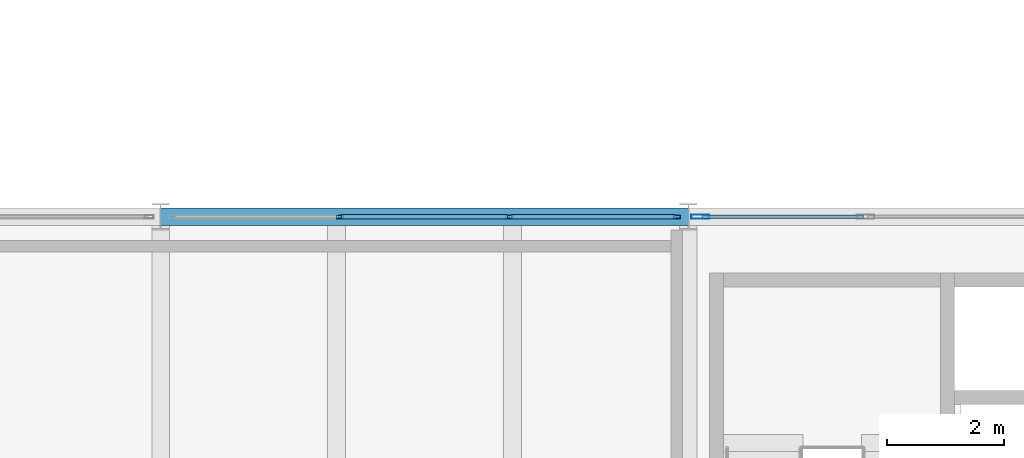
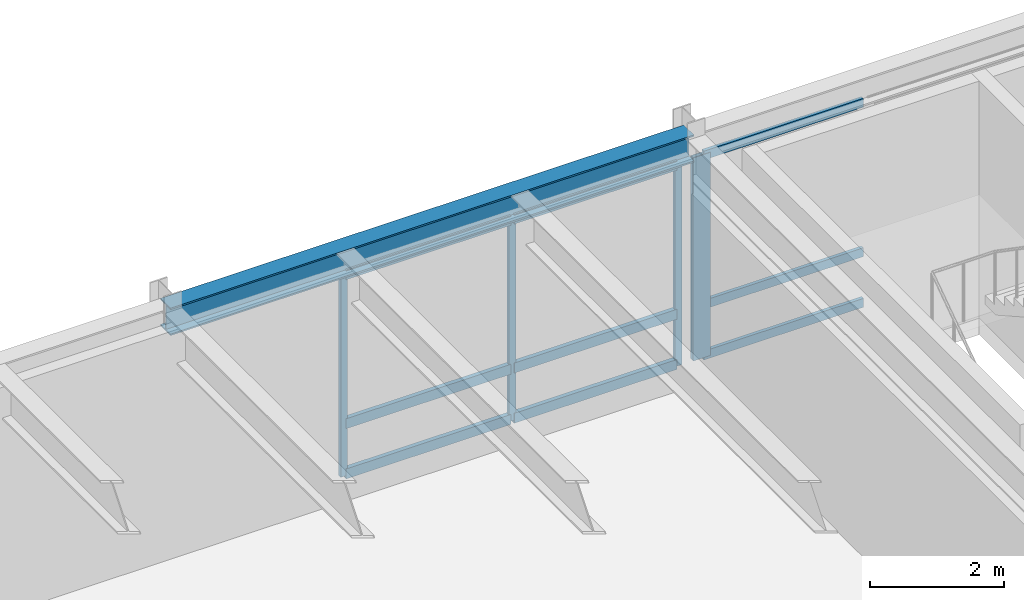
# One storey, part 86 of 142: 13 members, 1 beam, 2 elements without a shape of their own.
"""IFC4 building model written with IfcOpenShell, lengths in metres."""

from ifc_helpers import new_model, si_unit, direction, frame, origin, origin_2d, place, context, subcontext, project, spatial, hollow_rectangle, i_section, extrude, material, layer, layer_set, material_profile, profile_set, type_object, element, aggregate, save


model = new_model("IFC4")

# Units and contexts
model_context = context("Model", 3, precision=1e-05, world=origin(), true_north=direction((0.0, 1.0)))
body_context = subcontext(model_context, "Body", "Model", "MODEL_VIEW")
ifc_project = project(units=[si_unit("LENGTHUNIT", "METRE"), si_unit("AREAUNIT", "SQUARE_METRE"), si_unit("VOLUMEUNIT", "CUBIC_METRE"), si_unit("PLANEANGLEUNIT", "RADIAN"), si_unit("MASSUNIT", "GRAM", prefix="KILO")], contexts=[model_context])

# Site, building, storey
site_placement = place(None, origin())
site = spatial("IfcSite", under=ifc_project, at=site_placement, CompositionType="ELEMENT")
building_placement = place(site_placement, origin())
building = spatial("IfcBuilding", under=site, at=building_placement, Name="Montelvaro Courts of Justice", CompositionType="ELEMENT")
storey_placement = place(building_placement, frame((0.0, 0.0, 14.39990234375)))
storey = spatial("IfcBuildingStorey", under=building, at=storey_placement, Name="L03", CompositionType="ELEMENT", Elevation=14.39990234375)

# Beam
ifc_material_1 = material(Name="Steel S355", Category="steel")
ifc_material_profile_1 = material_profile(ifc_material_1, i_section(OverallWidth=0.300048828125, OverallDepth=0.5, WebThickness=0.014404296875, FlangeThickness=0.028076171875, at=origin_2d()), Name="HEB 500")
ifc_profile_set_1 = profile_set([ifc_material_profile_1], Name="Steel S355")
beam_type = type_object("IfcBeamType", Name="Beam_HEB500", PredefinedType="USERDEFINED", material=ifc_profile_set_1)
beam_placement = place(storey_placement, frame((108.0, 96.0, 3.9501953125), z_axis=(1.0, 0.0, 0.0), x_axis=(0.0, 1.0, 0.0)))
element("IfcBeam", 1, at=beam_placement, inside=storey, type_object=beam_type, Name="Beam B-25 L03", ObjectType="GIRDER", PredefinedType="USERDEFINED", context=body_context, shape_type="SweptSolid", body=[
    extrude(i_section(OverallWidth=0.300048828125, OverallDepth=0.5, WebThickness=0.014404296875, FlangeThickness=0.028076171875, at=origin_2d()), origin(), (0.0, 0.0, 1.0), 9.0),
])

# Curtain wall, members
ifc_material_2 = material(Name="Anodised aluminium EN AW-6063", Category="aluminium")
ifc_layer_1 = layer(ifc_material_2, 0.159912109375)
ifc_layer_set_1 = layer_set([ifc_layer_1], Name="Anodised aluminium EN AW-6063")
curtain_wall_type_1 = type_object("IfcCurtainWallType", Name="CurtainWall_14_867x418", PredefinedType="USERDEFINED", material=ifc_layer_set_1)
curtain_wall_1_placement = place(storey_placement, origin())
curtain_wall_1 = element("IfcCurtainWall", 2, at=curtain_wall_1_placement, inside=storey, type_object=curtain_wall_type_1, Name="Curtain Wall CW-14 (L03)", ObjectType="CURTAIN WALL", PredefinedType="USERDEFINED")
ifc_material_profile_2 = material_profile(ifc_material_2, hollow_rectangle(XDim=0.06005859375, YDim=0.1201171875, WallThickness=0.00341796875, at=origin_2d()), Name="ALU-M 60x120")
ifc_profile_set_2 = profile_set([ifc_material_profile_2], Name="Anodised aluminium EN AW-6063")
member_type_1 = type_object("IfcMemberType", Name="CurtainWall_Mullion_60x120", PredefinedType="MULLION", material=ifc_profile_set_2)
member_1_placement = place(storey_placement, frame((116.804931640625, 96.0, 0.0), z_axis=(0.0, 0.0, 1.0), x_axis=(0.0, -1.0, 0.0)))
member_1 = element("IfcMember", 3, at=member_1_placement, type_object=member_type_1, Name="CW-14 mullion 1", PredefinedType="MULLION", context=body_context, shape_type="SweptSolid", body=[
    extrude(hollow_rectangle(XDim=0.06005859375, YDim=0.1201171875, WallThickness=0.00341796875, at=origin_2d()), origin(), (0.0, 0.0, 1.0), 3.695068359375),
])
member_2_placement = place(storey_placement, frame((113.945068359375, 96.0, 0.0), z_axis=(0.0, 0.0, 1.0), x_axis=(0.0, -1.0, 0.0)))
member_2 = element("IfcMember", 4, at=member_2_placement, type_object=member_type_1, Name="CW-14 mullion 2", PredefinedType="MULLION", context=body_context, shape_type="SweptSolid", body=[
    extrude(hollow_rectangle(XDim=0.06005859375, YDim=0.1201171875, WallThickness=0.00341796875, at=origin_2d()), origin(), (0.0, 0.0, 1.0), 3.695068359375),
])
member_3_placement = place(storey_placement, frame((111.054931640625, 96.0, 0.0), z_axis=(0.0, 0.0, 1.0), x_axis=(0.0, -1.0, 0.0)))
member_3 = element("IfcMember", 5, at=member_3_placement, type_object=member_type_1, Name="CW-14 mullion 3", PredefinedType="MULLION", context=body_context, shape_type="SweptSolid", body=[
    extrude(hollow_rectangle(XDim=0.06005859375, YDim=0.1201171875, WallThickness=0.00341796875, at=origin_2d()), origin(), (0.0, 0.0, 1.0), 3.695068359375),
])

ifc_layer_2 = layer(ifc_material_2, 0.159912109375)
ifc_layer_set_2 = layer_set([ifc_layer_2], Name="Anodised aluminium EN AW-6063")
curtain_wall_type_2 = type_object("IfcCurtainWallType", Name="CurtainWall_13_857x418", PredefinedType="USERDEFINED", material=ifc_layer_set_2)
curtain_wall_2_placement = place(storey_placement, origin())
curtain_wall_2 = element("IfcCurtainWall", 6, at=curtain_wall_2_placement, inside=storey, type_object=curtain_wall_type_2, Name="Curtain Wall CW-13 (L03)", ObjectType="CURTAIN WALL", PredefinedType="USERDEFINED")
ifc_material_profile_3 = material_profile(ifc_material_2, hollow_rectangle(XDim=0.074951171875, YDim=0.300048828125, WallThickness=0.006103515625, at=origin_2d()), Name="ALU-M 75x300")
ifc_profile_set_3 = profile_set([ifc_material_profile_3], Name="Anodised aluminium EN AW-6063")
member_type_2 = type_object("IfcMemberType", Name="CurtainWall_Mullion_75x300", PredefinedType="MULLION", material=ifc_profile_set_3)
member_4_placement = place(storey_placement, frame((117.202392578125, 96.0, 0.0), z_axis=(0.0, 0.0, 1.0), x_axis=(0.0, -1.0, 0.0)))
member_4 = element("IfcMember", 7, at=member_4_placement, type_object=member_type_2, Name="CW-13 mullion 4", PredefinedType="MULLION", context=body_context, shape_type="SweptSolid", body=[
    extrude(hollow_rectangle(XDim=0.074951171875, YDim=0.300048828125, WallThickness=0.006103515625, at=origin_2d()), origin(), (0.0, 0.0, 1.0), 3.695068359375),
])
ifc_material_profile_4 = material_profile(ifc_material_2, hollow_rectangle(XDim=0.06005859375, YDim=0.159912109375, WallThickness=0.00439453125, at=origin_2d()), Name="ALU-T 60x160")
ifc_profile_set_4 = profile_set([ifc_material_profile_4], Name="Anodised aluminium EN AW-6063")
member_type_3 = type_object("IfcMemberType", Name="CurtainWall_Transom_60x160", PredefinedType="USERDEFINED", material=ifc_profile_set_4)
member_5_placement = place(storey_placement, frame((119.984130859375, 96.0, 0.030029296875), z_axis=(-1.0, 0.0, 0.0), x_axis=(0.0, -1.0, 0.0)))
member_5 = element("IfcMember", 8, at=member_5_placement, type_object=member_type_3, Name="CW-13 transom 3.1", ObjectType="TRANSOM", PredefinedType="USERDEFINED", context=body_context, shape_type="SweptSolid", body=[
    extrude(hollow_rectangle(XDim=0.06005859375, YDim=0.159912109375, WallThickness=0.00439453125, at=origin_2d()), origin(), (0.0, 0.0, 1.0), 2.744140625),
])
member_6_placement = place(storey_placement, frame((119.984130859375, 96.0, 0.9501953125), z_axis=(-1.0, 0.0, 0.0), x_axis=(0.0, -1.0, 0.0)))
member_6 = element("IfcMember", 9, at=member_6_placement, type_object=member_type_3, Name="CW-13 transom 3.2", ObjectType="TRANSOM", PredefinedType="USERDEFINED", context=body_context, shape_type="SweptSolid", body=[
    extrude(hollow_rectangle(XDim=0.06005859375, YDim=0.159912109375, WallThickness=0.00439453125, at=origin_2d()), origin(), (0.0, 0.0, 1.0), 2.744140625),
])
member_7_placement = place(storey_placement, frame((119.984130859375, 96.0, 3.6650390625), z_axis=(-1.0, 0.0, 0.0), x_axis=(0.0, -1.0, 0.0)))
member_7 = element("IfcMember", 10, at=member_7_placement, type_object=member_type_3, Name="CW-13 transom 3.3", ObjectType="TRANSOM", PredefinedType="USERDEFINED", context=body_context, shape_type="SweptSolid", body=[
    extrude(hollow_rectangle(XDim=0.06005859375, YDim=0.159912109375, WallThickness=0.00439453125, at=origin_2d()), origin(), (0.0, 0.0, 1.0), 2.744140625),
])
aggregate(curtain_wall_2, [member_4, member_5, member_6, member_7])

# Member
ifc_material_profile_5 = material_profile(ifc_material_2, hollow_rectangle(XDim=0.074951171875, YDim=0.179931640625, WallThickness=0.0048828125, at=origin_2d()), Name="ALU-T 75x180")
ifc_profile_set_5 = profile_set([ifc_material_profile_5], Name="Anodised aluminium EN AW-6063")
member_type_4 = type_object("IfcMemberType", Name="CurtainWall_Transom_75x180", PredefinedType="USERDEFINED", material=ifc_profile_set_5)
member_8_placement = place(storey_placement, frame((116.77490234375, 96.0, 0.03759765625), z_axis=(-1.0, 0.0, 0.0), x_axis=(0.0, -1.0, 0.0)))
member_8 = element("IfcMember", 11, at=member_8_placement, type_object=member_type_4, Name="CW-14 transom 1.1", ObjectType="TRANSOM", PredefinedType="USERDEFINED", context=body_context, shape_type="SweptSolid", body=[
    extrude(hollow_rectangle(XDim=0.074951171875, YDim=0.179931640625, WallThickness=0.0048828125, at=origin_2d()), origin(), (0.0, 0.0, 1.0), 2.7998046875),
])

member_9_placement = place(storey_placement, frame((116.77490234375, 96.0, 0.9501953125), z_axis=(-1.0, 0.0, 0.0), x_axis=(0.0, -1.0, 0.0)))
member_9 = element("IfcMember", 12, at=member_9_placement, type_object=member_type_4, Name="CW-14 transom 1.2", ObjectType="TRANSOM", PredefinedType="USERDEFINED", context=body_context, shape_type="SweptSolid", body=[
    extrude(hollow_rectangle(XDim=0.074951171875, YDim=0.179931640625, WallThickness=0.0048828125, at=origin_2d()), origin(), (0.0, 0.0, 1.0), 2.7998046875),
])

member_10_placement = place(storey_placement, frame((116.77490234375, 96.0, 3.65771484375), z_axis=(-1.0, 0.0, 0.0), x_axis=(0.0, -1.0, 0.0)))
member_10 = element("IfcMember", 13, at=member_10_placement, type_object=member_type_4, Name="CW-14 transom 1.3", ObjectType="TRANSOM", PredefinedType="USERDEFINED", context=body_context, shape_type="SweptSolid", body=[
    extrude(hollow_rectangle(XDim=0.074951171875, YDim=0.179931640625, WallThickness=0.0048828125, at=origin_2d()), origin(), (0.0, 0.0, 1.0), 2.7998046875),
])

member_11_placement = place(storey_placement, frame((113.9150390625, 96.0, 0.03759765625), z_axis=(-1.0, 0.0, 0.0), x_axis=(0.0, -1.0, 0.0)))
member_11 = element("IfcMember", 14, at=member_11_placement, type_object=member_type_4, Name="CW-14 transom 2.1", ObjectType="TRANSOM", PredefinedType="USERDEFINED", context=body_context, shape_type="SweptSolid", body=[
    extrude(hollow_rectangle(XDim=0.074951171875, YDim=0.179931640625, WallThickness=0.0048828125, at=origin_2d()), origin(), (0.0, 0.0, 1.0), 2.830078125),
])

member_12_placement = place(storey_placement, frame((113.9150390625, 96.0, 0.9501953125), z_axis=(-1.0, 0.0, 0.0), x_axis=(0.0, -1.0, 0.0)))
member_12 = element("IfcMember", 15, at=member_12_placement, type_object=member_type_4, Name="CW-14 transom 2.2", ObjectType="TRANSOM", PredefinedType="USERDEFINED", context=body_context, shape_type="SweptSolid", body=[
    extrude(hollow_rectangle(XDim=0.074951171875, YDim=0.179931640625, WallThickness=0.0048828125, at=origin_2d()), origin(), (0.0, 0.0, 1.0), 2.830078125),
])

member_13_placement = place(storey_placement, frame((113.9150390625, 96.0, 3.65771484375), z_axis=(-1.0, 0.0, 0.0), x_axis=(0.0, -1.0, 0.0)))
member_13 = element("IfcMember", 16, at=member_13_placement, type_object=member_type_4, Name="CW-14 transom 2.3", ObjectType="TRANSOM", PredefinedType="USERDEFINED", context=body_context, shape_type="SweptSolid", body=[
    extrude(hollow_rectangle(XDim=0.074951171875, YDim=0.179931640625, WallThickness=0.0048828125, at=origin_2d()), origin(), (0.0, 0.0, 1.0), 2.830078125),
])

aggregate(curtain_wall_1, [member_1, member_2, member_3, member_8, member_9, member_10, member_11, member_12, member_13])

save(model, "model.ifc")
